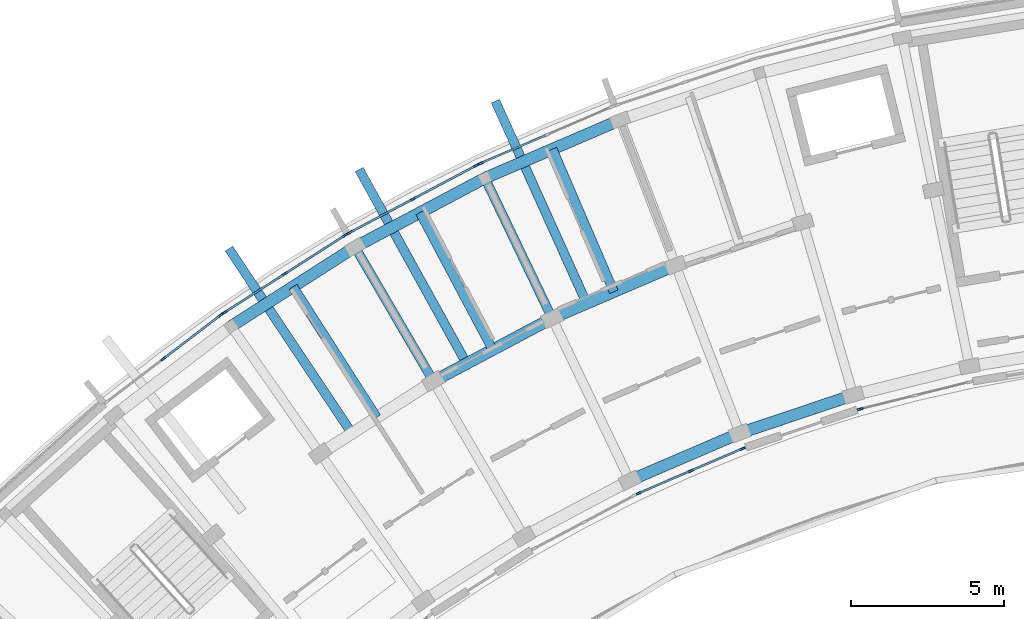
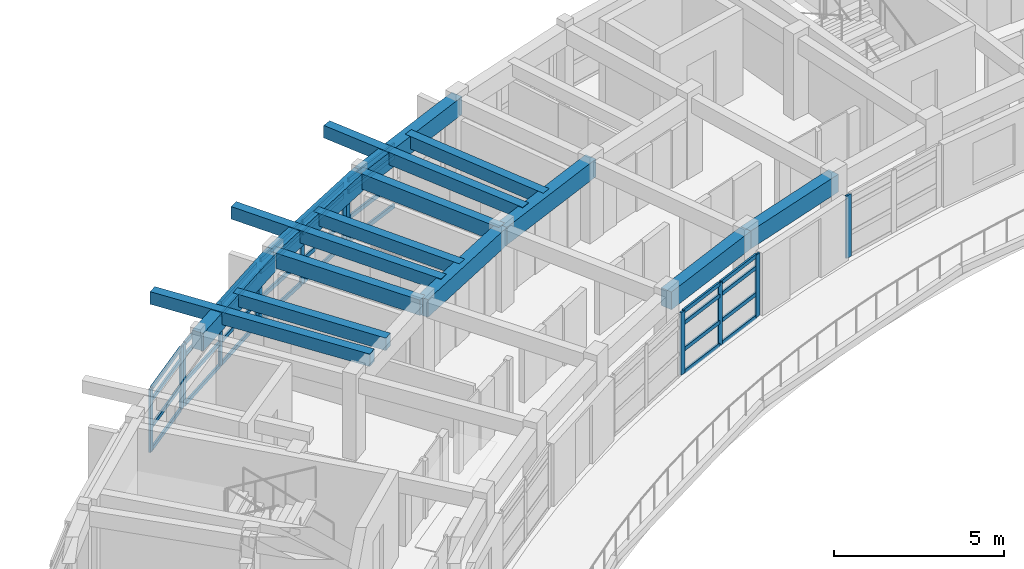
# One storey, part 3 of 23: 45 members, 15 beams, 6 elements without a shape of their own.
"""IFC4 building model written with IfcOpenShell, lengths in metres."""

from ifc_helpers import new_model, si_unit, direction, frame, origin, origin_2d, place, context, subcontext, project, spatial, rectangle, extrude, material, material_profile, profile_set, type_object, element, aggregate, save


model = new_model("IFC4")

# Units and contexts
model_context = context("Model", 3, precision=1e-05, world=origin(), true_north=direction((0.0, 1.0)))
body_context = subcontext(model_context, "Body", "Model", "MODEL_VIEW")
ifc_project = project(units=[si_unit("LENGTHUNIT", "METRE"), si_unit("AREAUNIT", "SQUARE_METRE"), si_unit("VOLUMEUNIT", "CUBIC_METRE"), si_unit("PLANEANGLEUNIT", "RADIAN"), si_unit("MASSUNIT", "GRAM", prefix="KILO")], contexts=[model_context])

# Site, building, storey
site_placement = place(None, origin())
site = spatial("IfcSite", under=ifc_project, at=site_placement, CompositionType="ELEMENT")
building_placement = place(site_placement, origin())
building = spatial("IfcBuilding", under=site, at=building_placement, Name="Zimvara Arc Housing Community", CompositionType="ELEMENT")
storey_placement = place(building_placement, frame((0.0, 0.0, 36.0)))
storey = spatial("IfcBuildingStorey", under=building, at=storey_placement, Name="L11", CompositionType="ELEMENT", Elevation=36.0)

# Beams
ifc_material_1 = material(Name="Concrete C40/50", Category="concrete")
ifc_material_profile_1 = material_profile(ifc_material_1, rectangle(XDim=0.300048828125, YDim=0.449951171875, at=origin_2d()), Name="RC 300x450")
ifc_profile_set_1 = profile_set([ifc_material_profile_1], Name="Concrete C40/50")
beam_type_1 = type_object("IfcBeamType", Name="BM-RC-300x450", PredefinedType="JOIST", material=ifc_profile_set_1)
for number, where, z_axis, x_axis, name in (
    (1, (16.0224609375, 89.776123046875, 2.64501953125), (-0.539052331508, 0.842272274206, 0.0), (-0.842272274206, -0.539052331508, 0.0), "bm:blkA:L11:joist:b3"),
    (2, (19.813232421875, 91.9892578125, 2.64501953125), (-0.46853732736, 0.883443701019, 0.0), (-0.883443701019, -0.46853732736, 0.0), "bm:blkA:L11:joist:b4"),
):
    element("IfcBeam", number, at=place(storey_placement, frame(where, z_axis=z_axis, x_axis=x_axis)), inside=storey, type_object=beam_type_1, Name=name, PredefinedType="JOIST", context=body_context, shape_type="SweptSolid", body=[
        extrude(rectangle(XDim=0.300048828125, YDim=0.449951171875, at=origin_2d()), origin(), (0.0, 0.0, 1.0), 5.07568359375),
    ])
beam_1_placement = place(storey_placement, frame((23.77197265625, 93.885986328125, 2.64501953125), z_axis=(-0.394929109608, 0.918711596958, 0.0), x_axis=(-0.918711596958, -0.394929109608, 0.0)))
element("IfcBeam", 3, at=beam_1_placement, inside=storey, type_object=beam_type_1, Name="bm:blkA:L11:joist:b5", PredefinedType="JOIST", context=body_context, shape_type="SweptSolid", body=[
    extrude(rectangle(XDim=0.300048828125, YDim=0.449951171875, at=origin_2d()), origin(), (0.0, 0.0, 1.0), 5.075927734375),
])
for number, where, z_axis, x_axis, name in (
    (4, (15.188720703125, 89.285400390625, 2.6650390625), (-0.554114811637, 0.832440253426, 0.0), (-0.832440253426, -0.554114811637, 0.0), "bm:blkA:L11:cant_out:b3"),
    (5, (18.942138671875, 91.568359375, 2.6650390625), (-0.4843274379, 0.874886811477, 0.0), (-0.874886811477, -0.4843274379, 0.0), "bm:blkA:L11:cant_out:b4"),
    (6, (22.869384765625, 93.53759765625, 2.6650390625), (-0.411355676266, 0.91147490783, 0.0), (-0.91147490783, -0.411355676266, 0.0), "bm:blkA:L11:cant_out:b5"),
):
    element("IfcBeam", number, at=place(storey_placement, frame(where, z_axis=z_axis, x_axis=x_axis)), inside=storey, type_object=beam_type_1, Name=name, PredefinedType="JOIST", context=body_context, shape_type="SweptSolid", body=[
        extrude(rectangle(XDim=0.300048828125, YDim=0.449951171875, at=origin_2d()), origin(), (0.0, 0.0, 1.0), 7.219970703125),
    ])
ifc_material_2 = material(Name="Concrete C40/50", Category="concrete")
ifc_material_profile_2 = material_profile(ifc_material_2, rectangle(XDim=0.300048828125, YDim=0.550048828125, at=origin_2d()), Name="RC 300x550")
ifc_profile_set_2 = profile_set([ifc_material_profile_2], Name="Concrete C40/50")
beam_type_2 = type_object("IfcBeamType", Name="BM-RC-300x550", PredefinedType="BEAM", material=ifc_profile_set_2)
beam_2_placement = place(storey_placement, frame((17.87255859375, 90.960205078125, 2.594970703125), z_axis=(-0.504196701544, 0.863588840915, 0.0), x_axis=(-0.863588840915, -0.504196701544, 0.0)))
element("IfcBeam", 7, at=beam_2_placement, inside=storey, type_object=beam_type_2, Name="bm:blkA:L11:rad:b4:r23", PredefinedType="BEAM", context=body_context, shape_type="SweptSolid", body=[
    extrude(rectangle(XDim=0.300048828125, YDim=0.550048828125, at=origin_2d()), origin(), (0.0, 0.0, 1.0), 5.079833984375),
])
beam_3_placement = place(storey_placement, frame((21.75390625, 93.0185546875, 2.594970703125), z_axis=(-0.432098194978, 0.901826563091, 0.0), x_axis=(-0.901826563091, -0.432098194978, 0.0)))
element("IfcBeam", 8, at=beam_3_placement, inside=storey, type_object=beam_type_2, Name="bm:blkA:L11:rad:b5:r23", PredefinedType="BEAM", context=body_context, shape_type="SweptSolid", body=[
    extrude(rectangle(XDim=0.300048828125, YDim=0.550048828125, at=origin_2d()), origin(), (0.0, 0.0, 1.0), 5.080078125),
])
ifc_material_3 = material(Name="Concrete C40/50", Category="concrete")
ifc_material_profile_3 = material_profile(ifc_material_3, rectangle(XDim=0.3798828125, YDim=0.639892578125, at=origin_2d()), Name="RC 380x640")
ifc_profile_set_3 = profile_set([ifc_material_profile_3], Name="Concrete C40/50")
beam_type_3 = type_object("IfcBeamType", Name="BM-RC-380x640", PredefinedType="BEAM", material=ifc_profile_set_3)
for number, where, z_axis, x_axis, name in (
    (9, (24.29443359375, 87.7158203125, 2.550048828125), (0.91873144242, 0.394882940514, 0.0), (-0.394882940514, 0.91873144242, 0.0), "bm:blkA:L11:chord:r1:b5"),
    (10, (27.889404296875, 89.260986328125, 2.550048828125), (0.947881689069, 0.31862250945, 0.0), (-0.31862250945, 0.947881689069, 0.0), "bm:blkA:L11:chord:r1:b6"),
):
    element("IfcBeam", number, at=place(storey_placement, frame(where, z_axis=z_axis, x_axis=x_axis)), inside=storey, type_object=beam_type_3, Name=name, PredefinedType="BEAM", context=body_context, shape_type="SweptSolid", body=[
        extrude(rectangle(XDim=0.3798828125, YDim=0.639892578125, at=origin_2d()), origin(), (0.0, 0.0, 1.0), 3.9130859375),
    ])
for number, where, z_axis, x_axis, name in (
    (11, (17.87255859375, 90.960205078125, 2.550048828125), (0.883456526058, 0.468513144496, 0.0), (-0.468513144496, 0.883456526058, 0.0), "bm:blkA:L11:chord:r2:b4"),
    (12, (21.75390625, 93.0185546875, 2.550048828125), (0.918724840088, 0.394898301093, 0.0), (-0.394898301093, 0.918724840088, 0.0), "bm:blkA:L11:chord:r2:b5"),
):
    element("IfcBeam", number, at=place(storey_placement, frame(where, z_axis=z_axis, x_axis=x_axis)), inside=storey, type_object=beam_type_3, Name=name, PredefinedType="BEAM", context=body_context, shape_type="SweptSolid", body=[
        extrude(rectangle(XDim=0.3798828125, YDim=0.639892578125, at=origin_2d()), origin(), (0.0, 0.0, 1.0), 4.393310546875),
    ])
beam_4_placement = place(storey_placement, frame((11.261474609375, 92.755126953125, 2.550048828125), z_axis=(0.842255724028, 0.539078190379, 0.0), x_axis=(-0.539078190379, 0.842255724028, 0.0)))
element("IfcBeam", 13, at=beam_4_placement, inside=storey, type_object=beam_type_3, Name="bm:blkA:L11:chord:r3:b3", PredefinedType="BEAM", context=body_context, shape_type="SweptSolid", body=[
    extrude(rectangle(XDim=0.3798828125, YDim=0.639892578125, at=origin_2d()), origin(), (0.0, 0.0, 1.0), 4.808349609375),
])
beam_5_placement = place(storey_placement, frame((15.311279296875, 95.34716796875, 2.550048828125), z_axis=(0.883445542299, 0.468533855546, 0.0), x_axis=(-0.468533855546, 0.883445542299, 0.0)))
element("IfcBeam", 14, at=beam_5_placement, inside=storey, type_object=beam_type_3, Name="bm:blkA:L11:chord:r3:b4", PredefinedType="BEAM", context=body_context, shape_type="SweptSolid", body=[
    extrude(rectangle(XDim=0.3798828125, YDim=0.639892578125, at=origin_2d()), origin(), (0.0, 0.0, 1.0), 4.807861328125),
])
beam_6_placement = place(storey_placement, frame((19.558837890625, 97.599853515625, 2.550048828125), z_axis=(0.918724276228, 0.394899612901, 0.0), x_axis=(-0.394899612901, 0.918724276228, 0.0)))
element("IfcBeam", 15, at=beam_6_placement, inside=storey, type_object=beam_type_3, Name="bm:blkA:L11:chord:r3:b5", PredefinedType="BEAM", context=body_context, shape_type="SweptSolid", body=[
    extrude(rectangle(XDim=0.3798828125, YDim=0.639892578125, at=origin_2d()), origin(), (0.0, 0.0, 1.0), 4.80810546875),
])

# Curtain wall, members
ifc_material_4 = material(Name="Anodised Aluminium AW-6063", Category="aluminium")
curtain_wall_type_1 = type_object("IfcCurtainWallType", Name="CW-SYS-08", PredefinedType="USERDEFINED", material=ifc_material_4)
curtain_wall_1_placement = place(storey_placement, origin())
curtain_wall_1 = element("IfcCurtainWall", 16, at=curtain_wall_1_placement, inside=storey, type_object=curtain_wall_type_1, Name="cw:blkA:L11:out:b2", ObjectType="CURTAIN WALL", PredefinedType="USERDEFINED")
ifc_material_5 = material(Name="Anodised Aluminium AW-6063", Category="aluminium")
ifc_material_profile_4 = material_profile(ifc_material_5, rectangle(XDim=0.06494140625, YDim=0.179931640625, at=origin_2d()), Name="ALU 65x180")
ifc_profile_set_4 = profile_set([ifc_material_profile_4], Name="Anodised Aluminium AW-6063")
member_type_1 = type_object("IfcMemberType", Name="CWM-65x150", PredefinedType="MULLION", material=ifc_profile_set_4)
member_1_placement = place(storey_placement, frame((9.04638671875, 91.69580078125, 0.0), z_axis=(0.0, 0.0, 1.0), x_axis=(-0.60598771987, 0.795473999177, 0.0)))
member_1 = element("IfcMember", 17, at=member_1_placement, type_object=member_type_1, Name="CW08 mullion 2", PredefinedType="MULLION", context=body_context, shape_type="SweptSolid", body=[
    extrude(rectangle(XDim=0.06494140625, YDim=0.179931640625, at=origin_2d()), origin(), (0.0, 0.0, 1.0), 2.25),
])
member_2_placement = place(storey_placement, frame((10.9013671875, 93.10888671875, 0.0), z_axis=(0.0, 0.0, 1.0), x_axis=(-0.60598771987, 0.795473999177, 0.0)))
member_2 = element("IfcMember", 18, at=member_2_placement, type_object=member_type_1, Name="CW08 mullion 3", PredefinedType="MULLION", context=body_context, shape_type="SweptSolid", body=[
    extrude(rectangle(XDim=0.06494140625, YDim=0.179931640625, at=origin_2d()), origin(), (0.0, 0.0, 1.0), 2.25),
])

ifc_material_6 = material(Name="Anodised Aluminium AW-6063", Category="aluminium")
curtain_wall_type_2 = type_object("IfcCurtainWallType", Name="CW-SYS-02", PredefinedType="USERDEFINED", material=ifc_material_6)
curtain_wall_2_placement = place(storey_placement, origin())
curtain_wall_2 = element("IfcCurtainWall", 19, at=curtain_wall_2_placement, inside=storey, type_object=curtain_wall_type_2, Name="cw:blkA:L11:out:b3", ObjectType="CURTAIN WALL", PredefinedType="USERDEFINED")
member_3_placement = place(storey_placement, frame((11.052978515625, 93.21484375, 0.0), z_axis=(0.0, 0.0, 1.0), x_axis=(-0.539064617721, 0.842264410931, 0.0)))
member_3 = element("IfcMember", 20, at=member_3_placement, type_object=member_type_1, Name="CW02 mullion 1", PredefinedType="MULLION", context=body_context, shape_type="SweptSolid", body=[
    extrude(rectangle(XDim=0.06494140625, YDim=0.179931640625, at=origin_2d()), origin(), (0.0, 0.0, 1.0), 2.25),
])
member_4_placement = place(storey_placement, frame((13.01708984375, 94.471923828125, 0.0), z_axis=(0.0, 0.0, 1.0), x_axis=(-0.539064617721, 0.842264410931, 0.0)))
member_4 = element("IfcMember", 21, at=member_4_placement, type_object=member_type_1, Name="CW02 mullion 2", PredefinedType="MULLION", context=body_context, shape_type="SweptSolid", body=[
    extrude(rectangle(XDim=0.06494140625, YDim=0.179931640625, at=origin_2d()), origin(), (0.0, 0.0, 1.0), 2.25),
])
member_5_placement = place(storey_placement, frame((14.981201171875, 95.72900390625, 0.0), z_axis=(0.0, 0.0, 1.0), x_axis=(-0.539064617721, 0.842264410931, 0.0)))
member_5 = element("IfcMember", 22, at=member_5_placement, type_object=member_type_1, Name="CW02 mullion 3", PredefinedType="MULLION", context=body_context, shape_type="SweptSolid", body=[
    extrude(rectangle(XDim=0.06494140625, YDim=0.179931640625, at=origin_2d()), origin(), (0.0, 0.0, 1.0), 2.25),
])

ifc_material_7 = material(Name="Anodised Aluminium AW-6063", Category="aluminium")
curtain_wall_type_3 = type_object("IfcCurtainWallType", Name="CW-SYS-06", PredefinedType="USERDEFINED", material=ifc_material_7)
curtain_wall_3_placement = place(storey_placement, origin())
curtain_wall_3 = element("IfcCurtainWall", 23, at=curtain_wall_3_placement, inside=storey, type_object=curtain_wall_type_3, Name="cw:blkA:L11:in:b5", ObjectType="CURTAIN WALL", PredefinedType="USERDEFINED")
member_6_placement = place(storey_placement, frame((24.595458984375, 87.301513671875, 0.0), z_axis=(0.0, 0.0, 1.0), x_axis=(-0.394903951674, 0.918722411261, 0.0)))
member_6 = element("IfcMember", 24, at=member_6_placement, type_object=member_type_1, Name="CW06 mullion 1", PredefinedType="MULLION", context=body_context, shape_type="SweptSolid", body=[
    extrude(rectangle(XDim=0.06494140625, YDim=0.179931640625, at=origin_2d()), origin(), (0.0, 0.0, 1.0), 2.25),
])
member_7_placement = place(storey_placement, frame((26.289306640625, 88.029541015625, 0.0), z_axis=(0.0, 0.0, 1.0), x_axis=(-0.394903951674, 0.918722411261, 0.0)))
member_7 = element("IfcMember", 25, at=member_7_placement, type_object=member_type_1, Name="CW06 mullion 2", PredefinedType="MULLION", context=body_context, shape_type="SweptSolid", body=[
    extrude(rectangle(XDim=0.06494140625, YDim=0.179931640625, at=origin_2d()), origin(), (0.0, 0.0, 1.0), 2.25),
])
member_8_placement = place(storey_placement, frame((27.983154296875, 88.757568359375, 0.0), z_axis=(0.0, 0.0, 1.0), x_axis=(-0.394903951674, 0.918722411261, 0.0)))
member_8 = element("IfcMember", 26, at=member_8_placement, type_object=member_type_1, Name="CW06 mullion 3", PredefinedType="MULLION", context=body_context, shape_type="SweptSolid", body=[
    extrude(rectangle(XDim=0.06494140625, YDim=0.179931640625, at=origin_2d()), origin(), (0.0, 0.0, 1.0), 2.25),
])

ifc_material_8 = material(Name="Anodised Aluminium AW-6063", Category="aluminium")
curtain_wall_type_4 = type_object("IfcCurtainWallType", Name="CW-SYS-03", PredefinedType="USERDEFINED", material=ifc_material_8)
curtain_wall_4_placement = place(storey_placement, origin())
curtain_wall_4 = element("IfcCurtainWall", 27, at=curtain_wall_4_placement, inside=storey, type_object=curtain_wall_type_4, Name="cw:blkA:L11:out:b4", ObjectType="CURTAIN WALL", PredefinedType="USERDEFINED")
ifc_material_9 = material(Name="Anodised Aluminium AW-6063", Category="aluminium")
ifc_material_profile_5 = material_profile(ifc_material_9, rectangle(XDim=0.06494140625, YDim=0.195068359375, at=origin_2d()), Name="ALU 65x195")
ifc_profile_set_5 = profile_set([ifc_material_profile_5], Name="Anodised Aluminium AW-6063")
member_type_2 = type_object("IfcMemberType", Name="CWM-65x180", PredefinedType="MULLION", material=ifc_profile_set_5)
member_9_placement = place(storey_placement, frame((15.140869140625, 95.822265625, 0.0), z_axis=(0.0, 0.0, 1.0), x_axis=(-0.468546917761, 0.883438614651, 0.0)))
member_9 = element("IfcMember", 28, at=member_9_placement, type_object=member_type_2, Name="CW03 mullion 1", PredefinedType="MULLION", context=body_context, shape_type="SweptSolid", body=[
    extrude(rectangle(XDim=0.06494140625, YDim=0.195068359375, at=origin_2d()), origin(), (0.0, 0.0, 1.0), 2.25),
])
member_10_placement = place(storey_placement, frame((17.200927734375, 96.914794921875, 0.0), z_axis=(0.0, 0.0, 1.0), x_axis=(-0.468546917761, 0.883438614651, 0.0)))
member_10 = element("IfcMember", 29, at=member_10_placement, type_object=member_type_2, Name="CW03 mullion 2", PredefinedType="MULLION", context=body_context, shape_type="SweptSolid", body=[
    extrude(rectangle(XDim=0.06494140625, YDim=0.195068359375, at=origin_2d()), origin(), (0.0, 0.0, 1.0), 2.25),
])
member_11_placement = place(storey_placement, frame((19.260986328125, 98.007568359375, 0.0), z_axis=(0.0, 0.0, 1.0), x_axis=(-0.468546917761, 0.883438614651, 0.0)))
member_11 = element("IfcMember", 30, at=member_11_placement, type_object=member_type_2, Name="CW03 mullion 3", PredefinedType="MULLION", context=body_context, shape_type="SweptSolid", body=[
    extrude(rectangle(XDim=0.06494140625, YDim=0.195068359375, at=origin_2d()), origin(), (0.0, 0.0, 1.0), 2.25),
])

# Curtain wall, member
ifc_material_10 = material(Name="Anodised Aluminium AW-6063", Category="aluminium")
curtain_wall_type_5 = type_object("IfcCurtainWallType", Name="CW-SYS-05", PredefinedType="USERDEFINED", material=ifc_material_10)
curtain_wall_5_placement = place(storey_placement, origin())
curtain_wall_5 = element("IfcCurtainWall", 31, at=curtain_wall_5_placement, inside=storey, type_object=curtain_wall_type_5, Name="cw:blkA:L11:out:b5", ObjectType="CURTAIN WALL", PredefinedType="USERDEFINED")
member_12_placement = place(storey_placement, frame((19.427734375, 98.08740234375, 0.0), z_axis=(0.0, 0.0, 1.0), x_axis=(-0.394904211998, 0.918722299363, 0.0)))
member_12 = element("IfcMember", 32, at=member_12_placement, type_object=member_type_2, Name="CW05 mullion 1", PredefinedType="MULLION", context=body_context, shape_type="SweptSolid", body=[
    extrude(rectangle(XDim=0.06494140625, YDim=0.195068359375, at=origin_2d()), origin(), (0.0, 0.0, 1.0), 2.25),
])

ifc_material_11 = material(Name="Anodised Aluminium AW-6063", Category="aluminium")
curtain_wall_type_6 = type_object("IfcCurtainWallType", Name="CW-SYS-01", PredefinedType="USERDEFINED", material=ifc_material_11)
curtain_wall_6_placement = place(storey_placement, origin())
curtain_wall_6 = element("IfcCurtainWall", 33, at=curtain_wall_6_placement, inside=storey, type_object=curtain_wall_type_6, Name="cw:blkA:L11:in:b7", ObjectType="CURTAIN WALL", PredefinedType="USERDEFINED")
member_13_placement = place(storey_placement, frame((31.828369140625, 90.050048828125, 0.0), z_axis=(0.0, 0.0, 1.0), x_axis=(-0.240229186313, 0.970716198507, 0.0)))
member_13 = element("IfcMember", 34, at=member_13_placement, type_object=member_type_2, Name="CW01 mullion 1", PredefinedType="MULLION", context=body_context, shape_type="SweptSolid", body=[
    extrude(rectangle(XDim=0.06494140625, YDim=0.195068359375, at=origin_2d()), origin(), (0.0, 0.0, 1.0), 2.25),
])
aggregate(curtain_wall_6, [member_13])

# Member
ifc_material_12 = material(Name="Anodised Aluminium AW-6063", Category="aluminium")
ifc_material_profile_6 = material_profile(ifc_material_12, rectangle(XDim=0.06494140625, YDim=0.139892578125, at=origin_2d()), Name="ALU 65x140")
ifc_profile_set_6 = profile_set([ifc_material_profile_6], Name="Anodised Aluminium AW-6063")
member_type_3 = type_object("IfcMemberType", Name="CWT-65x120", PredefinedType="USERDEFINED", material=ifc_profile_set_6)
member_14_placement = place(storey_placement, frame((9.072265625, 91.715576171875, 0.032470703125), z_axis=(0.795453969776, 0.606014011363, 0.0), x_axis=(-0.606014011363, 0.795453969776, 0.0)))
member_14 = element("IfcMember", 35, at=member_14_placement, type_object=member_type_3, Name="CW08 transom 2.1", ObjectType="TRANSOM", PredefinedType="USERDEFINED", context=body_context, shape_type="SweptSolid", body=[
    extrude(rectangle(XDim=0.06494140625, YDim=0.139892578125, at=origin_2d()), origin(), (0.0, 0.0, 1.0), 2.266845703125),
])

member_15_placement = place(storey_placement, frame((9.072265625, 91.715576171875, 0.85009765625), z_axis=(0.795453969776, 0.606014011363, 0.0), x_axis=(-0.606014011363, 0.795453969776, 0.0)))
member_15 = element("IfcMember", 36, at=member_15_placement, type_object=member_type_3, Name="CW08 transom 2.2", ObjectType="TRANSOM", PredefinedType="USERDEFINED", context=body_context, shape_type="SweptSolid", body=[
    extrude(rectangle(XDim=0.06494140625, YDim=0.139892578125, at=origin_2d()), origin(), (0.0, 0.0, 1.0), 2.266845703125),
])

member_16_placement = place(storey_placement, frame((9.072265625, 91.715576171875, 1.800048828125), z_axis=(0.795453969776, 0.606014011363, 0.0), x_axis=(-0.606014011363, 0.795453969776, 0.0)))
member_16 = element("IfcMember", 37, at=member_16_placement, type_object=member_type_3, Name="CW08 transom 2.3", ObjectType="TRANSOM", PredefinedType="USERDEFINED", context=body_context, shape_type="SweptSolid", body=[
    extrude(rectangle(XDim=0.06494140625, YDim=0.139892578125, at=origin_2d()), origin(), (0.0, 0.0, 1.0), 2.266845703125),
])

member_17_placement = place(storey_placement, frame((9.072265625, 91.715576171875, 2.217529296875), z_axis=(0.795453969776, 0.606014011363, 0.0), x_axis=(-0.606014011363, 0.795453969776, 0.0)))
member_17 = element("IfcMember", 38, at=member_17_placement, type_object=member_type_3, Name="CW08 transom 2.4", ObjectType="TRANSOM", PredefinedType="USERDEFINED", context=body_context, shape_type="SweptSolid", body=[
    extrude(rectangle(XDim=0.06494140625, YDim=0.139892578125, at=origin_2d()), origin(), (0.0, 0.0, 1.0), 2.266845703125),
])

aggregate(curtain_wall_1, [member_1, member_2, member_14, member_15, member_16, member_17])

member_18_placement = place(storey_placement, frame((11.080322265625, 93.232421875, 0.032470703125), z_axis=(0.842292914806, 0.539020079095, 0.0), x_axis=(-0.539020079095, 0.842292914806, 0.0)))
member_18 = element("IfcMember", 39, at=member_18_placement, type_object=member_type_3, Name="CW02 transom 1.1", ObjectType="TRANSOM", PredefinedType="USERDEFINED", context=body_context, shape_type="SweptSolid", body=[
    extrude(rectangle(XDim=0.06494140625, YDim=0.139892578125, at=origin_2d()), origin(), (0.0, 0.0, 1.0), 2.266845703125),
])

member_19_placement = place(storey_placement, frame((11.080322265625, 93.232421875, 0.85009765625), z_axis=(0.842292914806, 0.539020079095, 0.0), x_axis=(-0.539020079095, 0.842292914806, 0.0)))
member_19 = element("IfcMember", 40, at=member_19_placement, type_object=member_type_3, Name="CW02 transom 1.2", ObjectType="TRANSOM", PredefinedType="USERDEFINED", context=body_context, shape_type="SweptSolid", body=[
    extrude(rectangle(XDim=0.06494140625, YDim=0.139892578125, at=origin_2d()), origin(), (0.0, 0.0, 1.0), 2.266845703125),
])

member_20_placement = place(storey_placement, frame((11.080322265625, 93.232421875, 1.800048828125), z_axis=(0.842292914806, 0.539020079095, 0.0), x_axis=(-0.539020079095, 0.842292914806, 0.0)))
member_20 = element("IfcMember", 41, at=member_20_placement, type_object=member_type_3, Name="CW02 transom 1.3", ObjectType="TRANSOM", PredefinedType="USERDEFINED", context=body_context, shape_type="SweptSolid", body=[
    extrude(rectangle(XDim=0.06494140625, YDim=0.139892578125, at=origin_2d()), origin(), (0.0, 0.0, 1.0), 2.266845703125),
])

member_21_placement = place(storey_placement, frame((11.080322265625, 93.232421875, 2.217529296875), z_axis=(0.842292914806, 0.539020079095, 0.0), x_axis=(-0.539020079095, 0.842292914806, 0.0)))
member_21 = element("IfcMember", 42, at=member_21_placement, type_object=member_type_3, Name="CW02 transom 1.4", ObjectType="TRANSOM", PredefinedType="USERDEFINED", context=body_context, shape_type="SweptSolid", body=[
    extrude(rectangle(XDim=0.06494140625, YDim=0.139892578125, at=origin_2d()), origin(), (0.0, 0.0, 1.0), 2.266845703125),
])

member_22_placement = place(storey_placement, frame((13.04443359375, 94.489501953125, 0.032470703125), z_axis=(0.842292914806, 0.539020079095, 0.0), x_axis=(-0.539020079095, 0.842292914806, 0.0)))
member_22 = element("IfcMember", 43, at=member_22_placement, type_object=member_type_3, Name="CW02 transom 2.1", ObjectType="TRANSOM", PredefinedType="USERDEFINED", context=body_context, shape_type="SweptSolid", body=[
    extrude(rectangle(XDim=0.06494140625, YDim=0.139892578125, at=origin_2d()), origin(), (0.0, 0.0, 1.0), 2.266845703125),
])

member_23_placement = place(storey_placement, frame((13.04443359375, 94.489501953125, 0.85009765625), z_axis=(0.842292914806, 0.539020079095, 0.0), x_axis=(-0.539020079095, 0.842292914806, 0.0)))
member_23 = element("IfcMember", 44, at=member_23_placement, type_object=member_type_3, Name="CW02 transom 2.2", ObjectType="TRANSOM", PredefinedType="USERDEFINED", context=body_context, shape_type="SweptSolid", body=[
    extrude(rectangle(XDim=0.06494140625, YDim=0.139892578125, at=origin_2d()), origin(), (0.0, 0.0, 1.0), 2.266845703125),
])

member_24_placement = place(storey_placement, frame((13.04443359375, 94.489501953125, 1.800048828125), z_axis=(0.842292914806, 0.539020079095, 0.0), x_axis=(-0.539020079095, 0.842292914806, 0.0)))
member_24 = element("IfcMember", 45, at=member_24_placement, type_object=member_type_3, Name="CW02 transom 2.3", ObjectType="TRANSOM", PredefinedType="USERDEFINED", context=body_context, shape_type="SweptSolid", body=[
    extrude(rectangle(XDim=0.06494140625, YDim=0.139892578125, at=origin_2d()), origin(), (0.0, 0.0, 1.0), 2.266845703125),
])

member_25_placement = place(storey_placement, frame((13.04443359375, 94.489501953125, 2.217529296875), z_axis=(0.842292914806, 0.539020079095, 0.0), x_axis=(-0.539020079095, 0.842292914806, 0.0)))
member_25 = element("IfcMember", 46, at=member_25_placement, type_object=member_type_3, Name="CW02 transom 2.4", ObjectType="TRANSOM", PredefinedType="USERDEFINED", context=body_context, shape_type="SweptSolid", body=[
    extrude(rectangle(XDim=0.06494140625, YDim=0.139892578125, at=origin_2d()), origin(), (0.0, 0.0, 1.0), 2.266845703125),
])

aggregate(curtain_wall_2, [member_3, member_4, member_5, member_18, member_19, member_20, member_21, member_22, member_23, member_24, member_25])

member_26_placement = place(storey_placement, frame((24.625244140625, 87.314208984375, 0.032470703125), z_axis=(0.918739899324, 0.39486326417, 0.0), x_axis=(-0.39486326417, 0.918739899324, 0.0)))
member_26 = element("IfcMember", 47, at=member_26_placement, type_object=member_type_3, Name="CW06 transom 1.1", ObjectType="TRANSOM", PredefinedType="USERDEFINED", context=body_context, shape_type="SweptSolid", body=[
    extrude(rectangle(XDim=0.06494140625, YDim=0.139892578125, at=origin_2d()), origin(), (0.0, 0.0, 1.0), 1.77880859375),
])

member_27_placement = place(storey_placement, frame((24.625244140625, 87.314208984375, 0.85009765625), z_axis=(0.918739899324, 0.39486326417, 0.0), x_axis=(-0.39486326417, 0.918739899324, 0.0)))
member_27 = element("IfcMember", 48, at=member_27_placement, type_object=member_type_3, Name="CW06 transom 1.2", ObjectType="TRANSOM", PredefinedType="USERDEFINED", context=body_context, shape_type="SweptSolid", body=[
    extrude(rectangle(XDim=0.06494140625, YDim=0.139892578125, at=origin_2d()), origin(), (0.0, 0.0, 1.0), 1.77880859375),
])

member_28_placement = place(storey_placement, frame((24.625244140625, 87.314208984375, 1.800048828125), z_axis=(0.918739899324, 0.39486326417, 0.0), x_axis=(-0.39486326417, 0.918739899324, 0.0)))
member_28 = element("IfcMember", 49, at=member_28_placement, type_object=member_type_3, Name="CW06 transom 1.3", ObjectType="TRANSOM", PredefinedType="USERDEFINED", context=body_context, shape_type="SweptSolid", body=[
    extrude(rectangle(XDim=0.06494140625, YDim=0.139892578125, at=origin_2d()), origin(), (0.0, 0.0, 1.0), 1.77880859375),
])

member_29_placement = place(storey_placement, frame((24.625244140625, 87.314208984375, 2.217529296875), z_axis=(0.918739899324, 0.39486326417, 0.0), x_axis=(-0.39486326417, 0.918739899324, 0.0)))
member_29 = element("IfcMember", 50, at=member_29_placement, type_object=member_type_3, Name="CW06 transom 1.4", ObjectType="TRANSOM", PredefinedType="USERDEFINED", context=body_context, shape_type="SweptSolid", body=[
    extrude(rectangle(XDim=0.06494140625, YDim=0.139892578125, at=origin_2d()), origin(), (0.0, 0.0, 1.0), 1.77880859375),
])

member_30_placement = place(storey_placement, frame((26.319091796875, 88.042236328125, 0.032470703125), z_axis=(0.918718495938, 0.394913060334, 0.0), x_axis=(-0.394913060334, 0.918718495938, 0.0)))
member_30 = element("IfcMember", 51, at=member_30_placement, type_object=member_type_3, Name="CW06 transom 2.1", ObjectType="TRANSOM", PredefinedType="USERDEFINED", context=body_context, shape_type="SweptSolid", body=[
    extrude(rectangle(XDim=0.06494140625, YDim=0.139892578125, at=origin_2d()), origin(), (0.0, 0.0, 1.0), 1.778564453125),
])

member_31_placement = place(storey_placement, frame((26.319091796875, 88.042236328125, 0.85009765625), z_axis=(0.918718495938, 0.394913060334, 0.0), x_axis=(-0.394913060334, 0.918718495938, 0.0)))
member_31 = element("IfcMember", 52, at=member_31_placement, type_object=member_type_3, Name="CW06 transom 2.2", ObjectType="TRANSOM", PredefinedType="USERDEFINED", context=body_context, shape_type="SweptSolid", body=[
    extrude(rectangle(XDim=0.06494140625, YDim=0.139892578125, at=origin_2d()), origin(), (0.0, 0.0, 1.0), 1.778564453125),
])

member_32_placement = place(storey_placement, frame((26.319091796875, 88.042236328125, 1.800048828125), z_axis=(0.918718495938, 0.394913060334, 0.0), x_axis=(-0.394913060334, 0.918718495938, 0.0)))
member_32 = element("IfcMember", 53, at=member_32_placement, type_object=member_type_3, Name="CW06 transom 2.3", ObjectType="TRANSOM", PredefinedType="USERDEFINED", context=body_context, shape_type="SweptSolid", body=[
    extrude(rectangle(XDim=0.06494140625, YDim=0.139892578125, at=origin_2d()), origin(), (0.0, 0.0, 1.0), 1.778564453125),
])

member_33_placement = place(storey_placement, frame((26.319091796875, 88.042236328125, 2.217529296875), z_axis=(0.918718495938, 0.394913060334, 0.0), x_axis=(-0.394913060334, 0.918718495938, 0.0)))
member_33 = element("IfcMember", 54, at=member_33_placement, type_object=member_type_3, Name="CW06 transom 2.4", ObjectType="TRANSOM", PredefinedType="USERDEFINED", context=body_context, shape_type="SweptSolid", body=[
    extrude(rectangle(XDim=0.06494140625, YDim=0.139892578125, at=origin_2d()), origin(), (0.0, 0.0, 1.0), 1.778564453125),
])

aggregate(curtain_wall_3, [member_6, member_7, member_8, member_26, member_27, member_28, member_29, member_30, member_31, member_32, member_33])

ifc_material_13 = material(Name="Anodised Aluminium AW-6063", Category="aluminium")
ifc_material_profile_7 = material_profile(ifc_material_13, rectangle(XDim=0.06494140625, YDim=0.155029296875, at=origin_2d()), Name="ALU 65x155")
ifc_profile_set_7 = profile_set([ifc_material_profile_7], Name="Anodised Aluminium AW-6063")
member_type_4 = type_object("IfcMemberType", Name="CWT-65x140", PredefinedType="USERDEFINED", material=ifc_profile_set_7)
member_34_placement = place(storey_placement, frame((15.16943359375, 95.83740234375, 0.032470703125), z_axis=(0.883420900208, 0.468580316568, 0.0), x_axis=(-0.468580316568, 0.883420900208, 0.0)))
member_34 = element("IfcMember", 55, at=member_34_placement, type_object=member_type_4, Name="CW03 transom 1.1", ObjectType="TRANSOM", PredefinedType="USERDEFINED", context=body_context, shape_type="SweptSolid", body=[
    extrude(rectangle(XDim=0.06494140625, YDim=0.155029296875, at=origin_2d()), origin(), (0.0, 0.0, 1.0), 2.266845703125),
])

member_35_placement = place(storey_placement, frame((15.16943359375, 95.83740234375, 0.85009765625), z_axis=(0.883420900208, 0.468580316568, 0.0), x_axis=(-0.468580316568, 0.883420900208, 0.0)))
member_35 = element("IfcMember", 56, at=member_35_placement, type_object=member_type_4, Name="CW03 transom 1.2", ObjectType="TRANSOM", PredefinedType="USERDEFINED", context=body_context, shape_type="SweptSolid", body=[
    extrude(rectangle(XDim=0.06494140625, YDim=0.155029296875, at=origin_2d()), origin(), (0.0, 0.0, 1.0), 2.266845703125),
])

member_36_placement = place(storey_placement, frame((15.16943359375, 95.83740234375, 1.800048828125), z_axis=(0.883420900208, 0.468580316568, 0.0), x_axis=(-0.468580316568, 0.883420900208, 0.0)))
member_36 = element("IfcMember", 57, at=member_36_placement, type_object=member_type_4, Name="CW03 transom 1.3", ObjectType="TRANSOM", PredefinedType="USERDEFINED", context=body_context, shape_type="SweptSolid", body=[
    extrude(rectangle(XDim=0.06494140625, YDim=0.155029296875, at=origin_2d()), origin(), (0.0, 0.0, 1.0), 2.266845703125),
])

member_37_placement = place(storey_placement, frame((15.16943359375, 95.83740234375, 2.217529296875), z_axis=(0.883420900208, 0.468580316568, 0.0), x_axis=(-0.468580316568, 0.883420900208, 0.0)))
member_37 = element("IfcMember", 58, at=member_37_placement, type_object=member_type_4, Name="CW03 transom 1.4", ObjectType="TRANSOM", PredefinedType="USERDEFINED", context=body_context, shape_type="SweptSolid", body=[
    extrude(rectangle(XDim=0.06494140625, YDim=0.155029296875, at=origin_2d()), origin(), (0.0, 0.0, 1.0), 2.266845703125),
])

member_38_placement = place(storey_placement, frame((17.2294921875, 96.93017578125, 0.032470703125), z_axis=(0.883489114766, 0.468451688107, 0.0), x_axis=(-0.468451688107, 0.883489114766, 0.0)))
member_38 = element("IfcMember", 59, at=member_38_placement, type_object=member_type_4, Name="CW03 transom 2.1", ObjectType="TRANSOM", PredefinedType="USERDEFINED", context=body_context, shape_type="SweptSolid", body=[
    extrude(rectangle(XDim=0.06494140625, YDim=0.155029296875, at=origin_2d()), origin(), (0.0, 0.0, 1.0), 2.26708984375),
])

member_39_placement = place(storey_placement, frame((17.2294921875, 96.93017578125, 0.85009765625), z_axis=(0.883489114766, 0.468451688107, 0.0), x_axis=(-0.468451688107, 0.883489114766, 0.0)))
member_39 = element("IfcMember", 60, at=member_39_placement, type_object=member_type_4, Name="CW03 transom 2.2", ObjectType="TRANSOM", PredefinedType="USERDEFINED", context=body_context, shape_type="SweptSolid", body=[
    extrude(rectangle(XDim=0.06494140625, YDim=0.155029296875, at=origin_2d()), origin(), (0.0, 0.0, 1.0), 2.26708984375),
])

member_40_placement = place(storey_placement, frame((17.2294921875, 96.93017578125, 1.800048828125), z_axis=(0.883489114766, 0.468451688107, 0.0), x_axis=(-0.468451688107, 0.883489114766, 0.0)))
member_40 = element("IfcMember", 61, at=member_40_placement, type_object=member_type_4, Name="CW03 transom 2.3", ObjectType="TRANSOM", PredefinedType="USERDEFINED", context=body_context, shape_type="SweptSolid", body=[
    extrude(rectangle(XDim=0.06494140625, YDim=0.155029296875, at=origin_2d()), origin(), (0.0, 0.0, 1.0), 2.26708984375),
])

member_41_placement = place(storey_placement, frame((17.2294921875, 96.93017578125, 2.217529296875), z_axis=(0.883489114766, 0.468451688107, 0.0), x_axis=(-0.468451688107, 0.883489114766, 0.0)))
member_41 = element("IfcMember", 62, at=member_41_placement, type_object=member_type_4, Name="CW03 transom 2.4", ObjectType="TRANSOM", PredefinedType="USERDEFINED", context=body_context, shape_type="SweptSolid", body=[
    extrude(rectangle(XDim=0.06494140625, YDim=0.155029296875, at=origin_2d()), origin(), (0.0, 0.0, 1.0), 2.26708984375),
])

aggregate(curtain_wall_4, [member_9, member_10, member_11, member_34, member_35, member_36, member_37, member_38, member_39, member_40, member_41])

member_42_placement = place(storey_placement, frame((19.45751953125, 98.10009765625, 0.032470703125), z_axis=(0.918721157939, 0.394906867444, 0.0), x_axis=(-0.394906867444, 0.918721157939, 0.0)))
member_42 = element("IfcMember", 63, at=member_42_placement, type_object=member_type_4, Name="CW05 transom 1.1", ObjectType="TRANSOM", PredefinedType="USERDEFINED", context=body_context, shape_type="SweptSolid", body=[
    extrude(rectangle(XDim=0.06494140625, YDim=0.155029296875, at=origin_2d()), origin(), (0.0, 0.0, 1.0), 2.26708984375),
])

member_43_placement = place(storey_placement, frame((19.45751953125, 98.10009765625, 0.85009765625), z_axis=(0.918721157939, 0.394906867444, 0.0), x_axis=(-0.394906867444, 0.918721157939, 0.0)))
member_43 = element("IfcMember", 64, at=member_43_placement, type_object=member_type_4, Name="CW05 transom 1.2", ObjectType="TRANSOM", PredefinedType="USERDEFINED", context=body_context, shape_type="SweptSolid", body=[
    extrude(rectangle(XDim=0.06494140625, YDim=0.155029296875, at=origin_2d()), origin(), (0.0, 0.0, 1.0), 2.26708984375),
])

member_44_placement = place(storey_placement, frame((19.45751953125, 98.10009765625, 1.800048828125), z_axis=(0.918721157939, 0.394906867444, 0.0), x_axis=(-0.394906867444, 0.918721157939, 0.0)))
member_44 = element("IfcMember", 65, at=member_44_placement, type_object=member_type_4, Name="CW05 transom 1.3", ObjectType="TRANSOM", PredefinedType="USERDEFINED", context=body_context, shape_type="SweptSolid", body=[
    extrude(rectangle(XDim=0.06494140625, YDim=0.155029296875, at=origin_2d()), origin(), (0.0, 0.0, 1.0), 2.26708984375),
])

member_45_placement = place(storey_placement, frame((19.45751953125, 98.10009765625, 2.217529296875), z_axis=(0.918721157939, 0.394906867444, 0.0), x_axis=(-0.394906867444, 0.918721157939, 0.0)))
member_45 = element("IfcMember", 66, at=member_45_placement, type_object=member_type_4, Name="CW05 transom 1.4", ObjectType="TRANSOM", PredefinedType="USERDEFINED", context=body_context, shape_type="SweptSolid", body=[
    extrude(rectangle(XDim=0.06494140625, YDim=0.155029296875, at=origin_2d()), origin(), (0.0, 0.0, 1.0), 2.26708984375),
])

aggregate(curtain_wall_5, [member_12, member_42, member_43, member_44, member_45])

save(model, "model.ifc")
